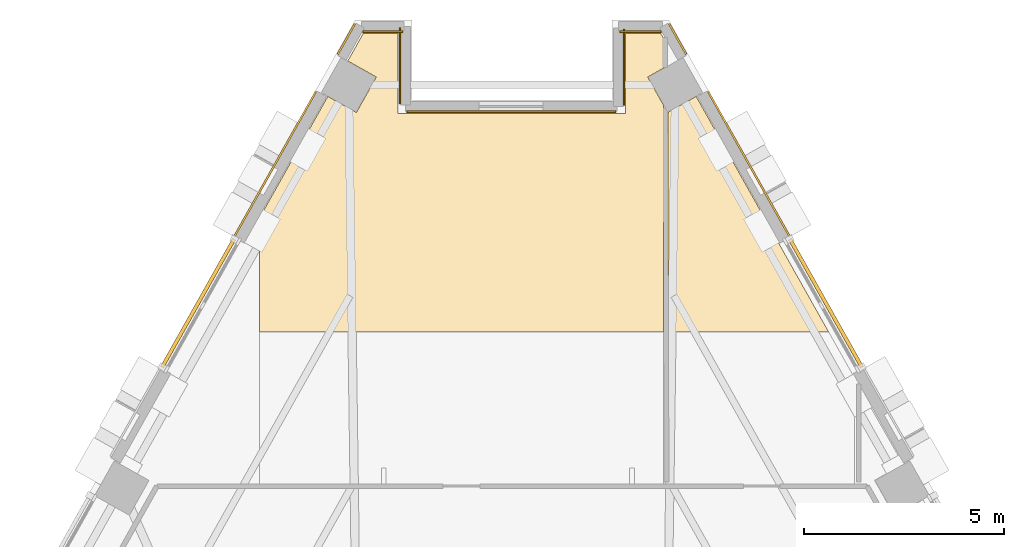
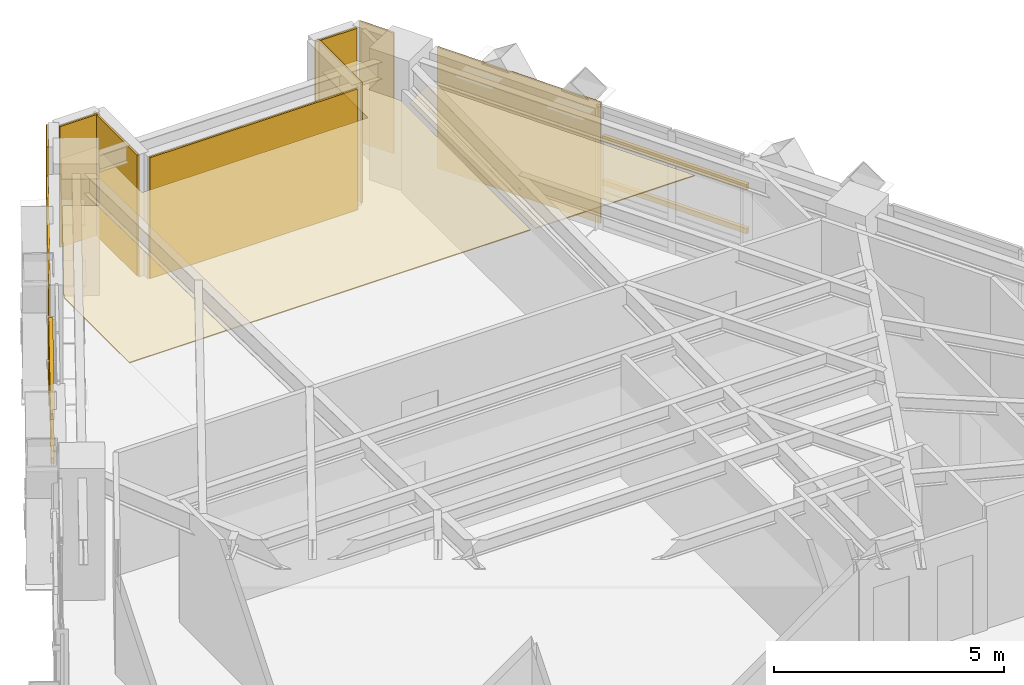
# One storey, part 14 of 14: 11 coverings, 4 shading devices.
"""IFC4 building model written with IfcOpenShell, lengths in metres."""

from ifc_helpers import new_model, si_unit, direction, frame, origin, origin_2d, place, context, subcontext, project, spatial, polyline, rectangle, outline, extrude, material, layer, layer_set, material_profile, profile_set, type_object, element, save


model = new_model("IFC4")

# Units and contexts
model_context = context("Model", 3, precision=1e-05, world=origin(), true_north=direction((0.0, 1.0)))
body_context = subcontext(model_context, "Body", "Model", "MODEL_VIEW")
ifc_project = project(units=[si_unit("LENGTHUNIT", "METRE"), si_unit("AREAUNIT", "SQUARE_METRE"), si_unit("VOLUMEUNIT", "CUBIC_METRE"), si_unit("PLANEANGLEUNIT", "RADIAN"), si_unit("MASSUNIT", "GRAM", prefix="KILO")], contexts=[model_context])

# Site, building, storey
site_placement = place(None, origin())
site = spatial("IfcSite", under=ifc_project, at=site_placement, CompositionType="ELEMENT")
building_placement = place(site_placement, origin())
building = spatial("IfcBuilding", under=site, at=building_placement, Name="Quenlor Broadcast Tower", CompositionType="ELEMENT")
storey_placement = place(building_placement, frame((0.0, 0.0, 154.5)))
storey = spatial("IfcBuildingStorey", under=building, at=storey_placement, Name="L42", CompositionType="ELEMENT", Elevation=154.5)

# Coverings
ifc_material_1 = material(Name="Acoustic Mineral Fibre Board", Category="other")
ifc_layer_1 = layer(ifc_material_1, 0.02490234375)
ifc_layer_set_1 = layer_set([ifc_layer_1], Name="Acoustic Perforated Mineral Tile Ceiling 25")
covering_type_1 = type_object("IfcCoveringType", Name="Acoustic Perforated Mineral Tile Ceiling 25", PredefinedType="CEILING", material=ifc_layer_set_1)
covering_1_placement = place(storey_placement, frame((0.0, 0.0, 2.375)))
element("IfcCovering", 1, at=covering_1_placement, inside=storey, type_object=covering_type_1, Name="L42 Acoustic Ceiling L42-31-2", PredefinedType="CEILING", context=body_context, shape_type="SweptSolid", body=[
    extrude(outline(polyline([(2.840087890625, 18.10009765625), (2.840087890625, 20.10009765625), (3.71630859375, 20.10009765625), (3.780029296875, 19.986572265625), (3.780029296875, 19.236572265625), (3.387451171875, 19.015869140625), (3.780029296875, 18.318115234375), (3.780029296875, 12.64990234375), (-6.300048828125, 12.64990234375), (-6.300048828125, 15.506591796875), (-4.598388671875, 18.53125), (-3.885498046875, 18.13037109375), (-3.387451171875, 19.015869140625), (-4.100341796875, 19.416748046875), (-3.71630859375, 20.10009765625), (-2.840087890625, 20.10009765625), (-2.840087890625, 18.10009765625), (2.840087890625, 18.10009765625)])), origin(), (0.0, 0.0, 1.0), 0.02490234375),
])
covering_2_placement = place(storey_placement, frame((0.0, 0.0, 2.375)))
element("IfcCovering", 2, at=covering_2_placement, inside=storey, type_object=covering_type_1, Name="L42 Acoustic Ceiling L42-32-2", PredefinedType="CEILING", context=body_context, shape_type="SweptSolid", body=[
    extrude(outline(polyline([(3.89990234375, 18.138427734375), (4.598388671875, 18.53125), (7.90673828125, 12.64990234375), (3.89990234375, 12.64990234375), (3.89990234375, 18.138427734375)])), origin(), (0.0, 0.0, 1.0), 0.02490234375),
])

# Shading devices
ifc_material_2 = material(Name="Architectural Terracotta Ceramic", Category="masonry")
ifc_material_profile = material_profile(ifc_material_2, rectangle(XDim=0.090087890625, YDim=0.139892578125, at=origin_2d()))
ifc_profile_set = profile_set([ifc_material_profile], Name="Architectural Terracotta Ceramic BAG90x140")
shading_device_type = type_object("IfcShadingDeviceType", Name="Copper Terracotta Baguette Solar Screen 140", PredefinedType="USERDEFINED", material=ifc_profile_set)
for number, where, z_axis, x_axis, name in (
    (3, (6.938720703125, 14.968505859375, 1.169921875), (0.490286548151, -0.871561300599, 0.0), (0.871561300599, 0.490286548151, 0.0), "L42 Terracotta Baguette Screen 1"),
    (4, (6.938720703125, 14.968505859375, 2.340087890625), (0.490286548151, -0.871561300599, 0.0), (0.871561300599, 0.490286548151, 0.0), "L42 Terracotta Baguette Screen 2"),
    (5, (-8.735107421875, 11.775146484375, 1.169921875), (0.490286548151, 0.871561300599, 0.0), (-0.871561300599, 0.490286548151, 0.0), "L42 Terracotta Baguette Screen 1"),
    (6, (-8.735107421875, 11.775146484375, 2.340087890625), (0.490286548151, 0.871561300599, 0.0), (-0.871561300599, 0.490286548151, 0.0), "L42 Terracotta Baguette Screen 2"),
):
    element("IfcShadingDevice", number, at=place(storey_placement, frame(where, z_axis=z_axis, x_axis=x_axis)), inside=storey, type_object=shading_device_type, Name=name, ObjectType="BAGUETTE", PredefinedType="USERDEFINED", context=body_context, shape_type="SweptSolid", body=[
        extrude(rectangle(XDim=0.090087890625, YDim=0.139892578125, at=origin_2d()), origin(), (0.0, 0.0, 1.0), 3.6640625),
    ])

# Coverings
ifc_material_3 = material(Name="Architectural Terracotta Ceramic", Category="masonry")
ifc_layer_2 = layer(ifc_material_3, 0.044921875)
ifc_layer_set_2 = layer_set([ifc_layer_2], Name="Fluted Terracotta Rainscreen Cladding Panel")
covering_type_2 = type_object("IfcCoveringType", Name="Fluted Terracotta Rainscreen Cladding Panel", PredefinedType="CLADDING", material=ifc_layer_set_2)
covering_3_placement = place(storey_placement, frame((0.0, 0.0, 0.02001953125)))
element("IfcCovering", 7, at=covering_3_placement, inside=storey, type_object=covering_type_2, Name="L42 Terracotta Rainscreen Cladding L42-SHD-NES0", PredefinedType="CLADDING", context=body_context, shape_type="SweptSolid", body=[
    extrude(outline(polyline([(3.904296875, 20.330810546875), (4.32861328125, 19.576171875), (4.367919921875, 19.59814453125), (3.943359375, 20.352783203125), (3.904296875, 20.330810546875)])), origin(), (0.0, 0.0, 1.0), 3.2099609375),
])
covering_4_placement = place(storey_placement, frame((0.0, 0.0, 0.02001953125)))
element("IfcCovering", 8, at=covering_4_placement, inside=storey, type_object=covering_type_2, Name="L42 Terracotta Rainscreen Cladding L42-NEA-SP1", PredefinedType="CLADDING", context=body_context, shape_type="SweptSolid", body=[
    extrude(outline(polyline([(4.880615234375, 18.635986328125), (6.910400390625, 15.027099609375), (6.94970703125, 15.04931640625), (4.919677734375, 18.657958984375), (4.880615234375, 18.635986328125)])), origin(), (0.0, 0.0, 1.0), 3.2099609375),
])
covering_5_placement = place(storey_placement, frame((0.0, 0.0, 0.02001953125)))
element("IfcCovering", 9, at=covering_5_placement, inside=storey, type_object=covering_type_2, Name="L42 Terracotta Rainscreen Cladding L42-SHD-NWS1", PredefinedType="CLADDING", context=body_context, shape_type="SweptSolid", body=[
    extrude(outline(polyline([(-4.32861328125, 19.576171875), (-3.904296875, 20.330810546875), (-3.943359375, 20.352783203125), (-4.367919921875, 19.59814453125), (-4.32861328125, 19.576171875)])), origin(), (0.0, 0.0, 1.0), 3.2099609375),
])
covering_6_placement = place(storey_placement, frame((0.0, 0.0, 0.02001953125)))
element("IfcCovering", 10, at=covering_6_placement, inside=storey, type_object=covering_type_2, Name="L42 Terracotta Rainscreen Cladding L42-NWC-SP2", PredefinedType="CLADDING", context=body_context, shape_type="SweptSolid", body=[
    extrude(outline(polyline([(-6.910400390625, 15.027099609375), (-4.880615234375, 18.635986328125), (-4.919677734375, 18.657958984375), (-6.94970703125, 15.04931640625), (-6.910400390625, 15.027099609375)])), origin(), (0.0, 0.0, 1.0), 3.2099609375),
])
covering_7_placement = place(storey_placement, frame((0.0, 0.0, 0.02001953125)))
element("IfcCovering", 11, at=covering_7_placement, inside=storey, type_object=covering_type_2, Name="L42 Terracotta Rainscreen Cladding L42-CNR-06", PredefinedType="CLADDING", context=body_context, shape_type="SweptSolid", body=[
    extrude(outline(polyline([(3.7314453125, 20.16796875), (2.68994140625, 20.16796875), (2.68994140625, 20.123046875), (3.7314453125, 20.123046875), (3.7314453125, 20.16796875)])), origin(), (0.0, 0.0, 1.0), 3.2099609375),
])
covering_8_placement = place(storey_placement, frame((0.0, 0.0, 0.02001953125)))
element("IfcCovering", 12, at=covering_8_placement, inside=storey, type_object=covering_type_2, Name="L42 Terracotta Rainscreen Cladding L42-CNR-07", PredefinedType="CLADDING", context=body_context, shape_type="SweptSolid", body=[
    extrude(outline(polyline([(2.77197265625, 20.2099609375), (2.77197265625, 18.31005859375), (2.81689453125, 18.31005859375), (2.81689453125, 20.2099609375), (2.77197265625, 20.2099609375)])), origin(), (0.0, 0.0, 1.0), 3.2099609375),
])
covering_9_placement = place(storey_placement, frame((0.0, 0.0, 0.02001953125)))
element("IfcCovering", 13, at=covering_9_placement, inside=storey, type_object=covering_type_2, Name="L42 Terracotta Rainscreen Cladding L42-CNR-08", PredefinedType="CLADDING", context=body_context, shape_type="SweptSolid", body=[
    extrude(outline(polyline([(2.590087890625, 18.16796875), (-2.6298828125, 18.16796875), (-2.6298828125, 18.123046875), (2.590087890625, 18.123046875), (2.590087890625, 18.16796875)])), origin(), (0.0, 0.0, 1.0), 3.2099609375),
])
covering_10_placement = place(storey_placement, frame((0.0, 0.0, 0.02001953125)))
element("IfcCovering", 14, at=covering_10_placement, inside=storey, type_object=covering_type_2, Name="L42 Terracotta Rainscreen Cladding L42-CNR-09", PredefinedType="CLADDING", context=body_context, shape_type="SweptSolid", body=[
    extrude(outline(polyline([(-2.77197265625, 18.35009765625), (-2.77197265625, 20.25), (-2.81689453125, 20.25), (-2.81689453125, 18.35009765625), (-2.77197265625, 18.35009765625)])), origin(), (0.0, 0.0, 1.0), 3.2099609375),
])
covering_11_placement = place(storey_placement, frame((0.0, 0.0, 0.02001953125)))
element("IfcCovering", 15, at=covering_11_placement, inside=storey, type_object=covering_type_2, Name="L42 Terracotta Rainscreen Cladding L42-CNR-10", PredefinedType="CLADDING", context=body_context, shape_type="SweptSolid", body=[
    extrude(outline(polyline([(-2.72998046875, 20.16796875), (-3.7314453125, 20.16796875), (-3.7314453125, 20.123046875), (-2.72998046875, 20.123046875), (-2.72998046875, 20.16796875)])), origin(), (0.0, 0.0, 1.0), 3.2099609375),
])

save(model, "model.ifc")
